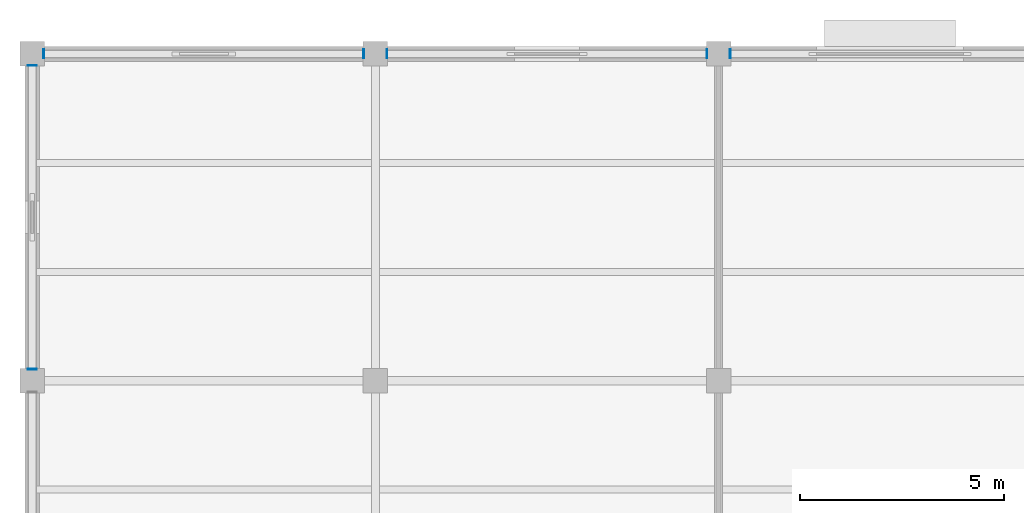
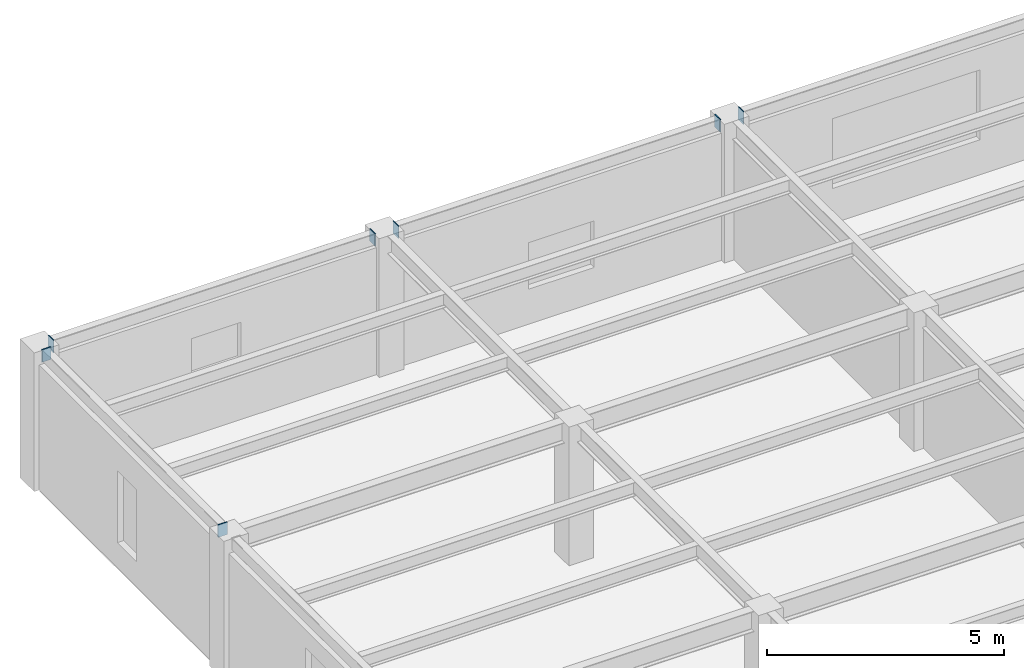
# One storey, part 75 of 96: 7 discrete accessories.
"""IFC4 building model written with IfcOpenShell, lengths in metres."""

from ifc_helpers import new_model, si_unit, direction, frame, origin, origin_2d, place, context, subcontext, project, spatial, rectangle, extrude, material, layer, layer_set, type_object, element, save


model = new_model("IFC4")

# Units and contexts
model_context = context("Model", 3, precision=1e-05, world=origin(), true_north=direction((0.0, 1.0)))
body_context = subcontext(model_context, "Body", "Model", "MODEL_VIEW")
ifc_project = project(units=[si_unit("LENGTHUNIT", "METRE"), si_unit("AREAUNIT", "SQUARE_METRE"), si_unit("VOLUMEUNIT", "CUBIC_METRE"), si_unit("PLANEANGLEUNIT", "RADIAN"), si_unit("MASSUNIT", "GRAM", prefix="KILO")], contexts=[model_context])

# Site, building, storey
site_placement = place(None, origin())
site = spatial("IfcSite", under=ifc_project, at=site_placement, CompositionType="ELEMENT")
building_placement = place(site_placement, origin())
building = spatial("IfcBuilding", under=site, at=building_placement, Name="Kranzveld Transit Interchange", CompositionType="ELEMENT")
storey_placement = place(building_placement, frame((0.0, 0.0, 9.52001953125)))
storey = spatial("IfcBuildingStorey", under=building, at=storey_placement, Name="L02", CompositionType="ELEMENT", Elevation=9.52001953125)

# Discrete accessories
ifc_material = material(Name="Steel S355JR", Category="steel")
ifc_layer = layer(ifc_material, 0.02001953125)
ifc_layer_set = layer_set([ifc_layer], Name="Steel S355JR")
discrete_accessory_type = type_object("IfcDiscreteAccessoryType", Name="Hollow Section End Cap Bracket 20 S355JR", PredefinedType="BRACKET", material=ifc_layer_set)
for number, where, z_axis, x_axis, name in (
    (1, (0.2939453125, 112.0, 3.419921875), (-1.0, 0.0, 0.0), (0.0, -1.0, 0.0), "Hollow Section End Cap SP-RHS300-1"),
    (2, (8.10595703125, 112.0, 3.419921875), (1.0, 0.0, 0.0), (0.0, 1.0, 0.0), "Hollow Section End Cap SP-RHS300-2"),
    (3, (8.694091796875, 112.0, 3.419921875), (-1.0, 0.0, 0.0), (0.0, -1.0, 0.0), "Hollow Section End Cap SP-RHS300-1"),
):
    element("IfcDiscreteAccessory", number, at=place(storey_placement, frame(where, z_axis=z_axis, x_axis=x_axis)), inside=storey, type_object=discrete_accessory_type, Name=name, PredefinedType="BRACKET", context=body_context, shape_type="SweptSolid", body=[
        extrude(rectangle(XDim=0.22412109375, YDim=0.323974609375, at=origin_2d()), origin(), (0.0, 0.0, 1.0), 0.02001953125),
    ])
discrete_accessory_placement = place(storey_placement, frame((16.506103515625, 112.0, 3.419921875), z_axis=(1.0, 0.0, 0.0), x_axis=(0.0, 1.0, 0.0)))
element("IfcDiscreteAccessory", 4, at=discrete_accessory_placement, inside=storey, type_object=discrete_accessory_type, Name="Hollow Section End Cap SP-RHS300-2", PredefinedType="BRACKET", context=body_context, shape_type="SweptSolid", body=[
    extrude(rectangle(XDim=0.22412109375, YDim=0.323974609375, at=origin_2d()), origin(), (0.0, 0.0, 1.0), 0.019775390625),
])
for number, where, z_axis, x_axis, name in (
    (5, (17.093994140625, 112.0, 3.419921875), (-1.0, 0.0, 0.0), (0.0, -1.0, 0.0), "Hollow Section End Cap SP-RHS300-1"),
    (6, (0.0, 104.2939453125, 3.419921875), (0.0, -1.0, 0.0), (1.0, 0.0, 0.0), "Hollow Section End Cap SP-RHS300-1"),
    (7, (0.0, 111.7060546875, 3.419921875), (0.0, 1.0, 0.0), (-1.0, 0.0, 0.0), "Hollow Section End Cap SP-RHS300-2"),
):
    element("IfcDiscreteAccessory", number, at=place(storey_placement, frame(where, z_axis=z_axis, x_axis=x_axis)), inside=storey, type_object=discrete_accessory_type, Name=name, PredefinedType="BRACKET", context=body_context, shape_type="SweptSolid", body=[
        extrude(rectangle(XDim=0.22412109375, YDim=0.323974609375, at=origin_2d()), origin(), (0.0, 0.0, 1.0), 0.02001953125),
    ])

save(model, "model.ifc")
